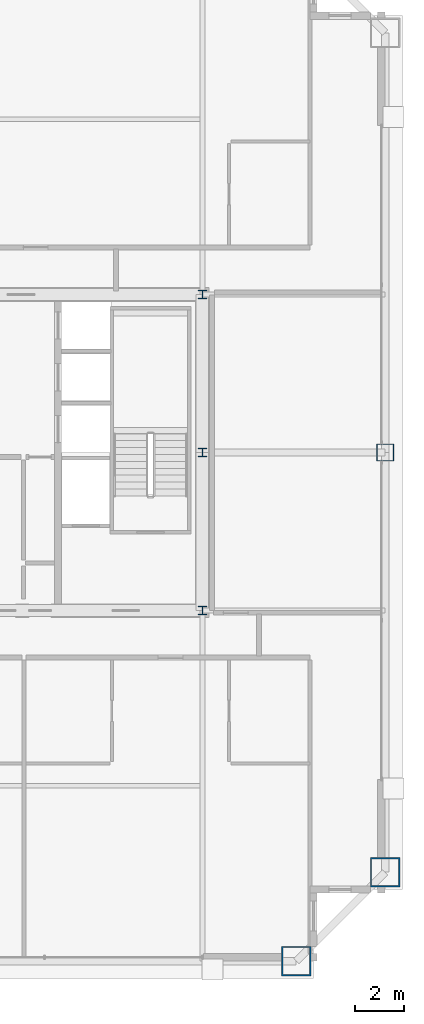
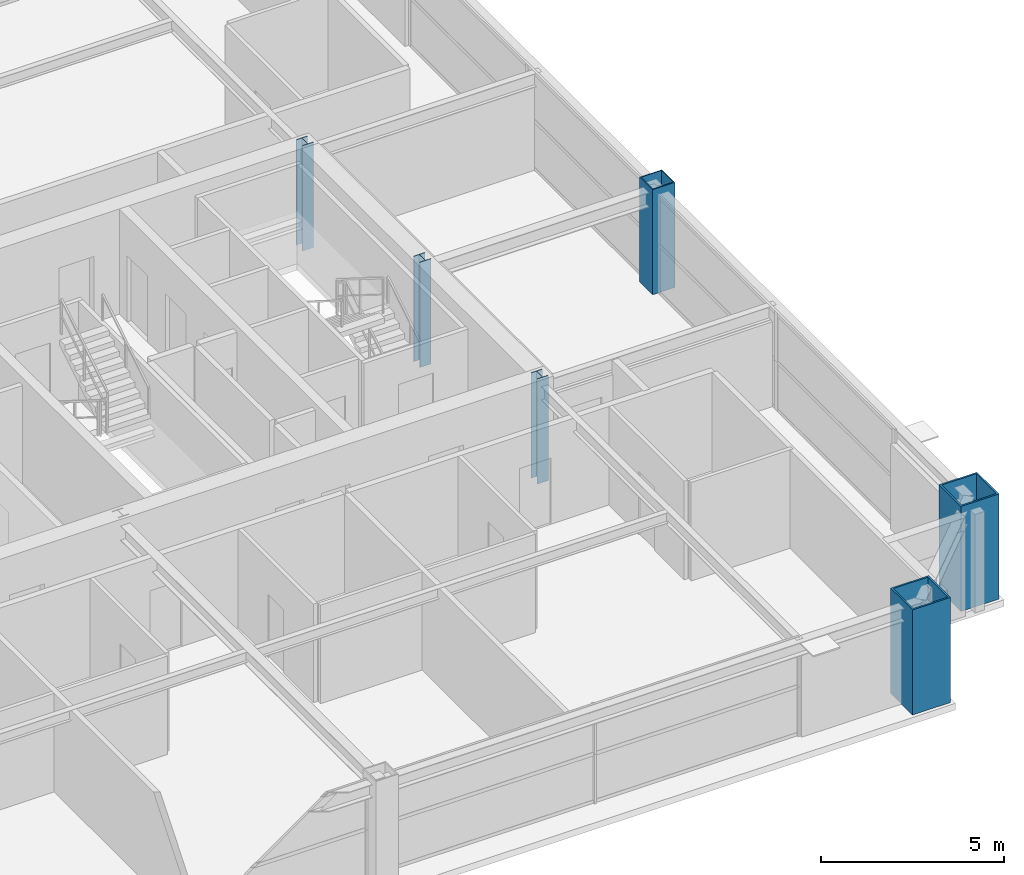
# One storey, part 2 of 37: 6 columns.
"""IFC4 building model written with IfcOpenShell, lengths in metres."""

from ifc_helpers import new_model, si_unit, direction, frame, origin, origin_2d, place, context, subcontext, project, spatial, hollow_rectangle, i_section, extrude, source, transform, mapped, material, material_profile, profile_set, type_object, element, save


model = new_model("IFC4")

# Units and contexts
model_context = context("Model", 3, precision=1e-05, world=origin(), true_north=direction((0.0, 1.0)))
body_context = subcontext(model_context, "Body", "Model", "MODEL_VIEW")
ifc_project = project(units=[si_unit("LENGTHUNIT", "METRE"), si_unit("AREAUNIT", "SQUARE_METRE"), si_unit("VOLUMEUNIT", "CUBIC_METRE"), si_unit("PLANEANGLEUNIT", "RADIAN"), si_unit("MASSUNIT", "GRAM", prefix="KILO"), si_unit("THERMODYNAMICTEMPERATUREUNIT", "KELVIN"), si_unit("POWERUNIT", "WATT")], contexts=[model_context])

# Site, building, storey
site_placement = place(None, origin())
site = spatial("IfcSite", under=ifc_project, at=site_placement, CompositionType="ELEMENT")
building_placement = place(site_placement, origin())
building = spatial("IfcBuilding", under=site, at=building_placement, Name="Yuzanri Waterfront Tower", CompositionType="ELEMENT")
storey_placement = place(building_placement, frame((0.0, 0.0, 268.10009765625)))
storey = spatial("IfcBuildingStorey", under=building, at=storey_placement, Name="L71", CompositionType="ELEMENT", Elevation=268.10009765625)

# Columns
ifc_material_1 = material(Name="Steel Q390GJC", Category="steel")
ifc_material_profile_1 = material_profile(ifc_material_1, hollow_rectangle(XDim=1.199951171875, YDim=1.199951171875, WallThickness=0.054931640625, at=origin_2d()), Name="RHS 1200x1200x55")
ifc_profile_set_1 = profile_set([ifc_material_profile_1], Name="Steel Q390GJC")
column_type_1 = type_object("IfcColumnType", Name="Mega Column Q390GJC RHS 1200x1200x55", PredefinedType="COLUMN", material=ifc_profile_set_1)
shared_shape_1 = source(origin(), body_context, "Body", "SweptSolid", [
    extrude(hollow_rectangle(XDim=1.199951171875, YDim=1.199951171875, WallThickness=0.054931640625, at=origin_2d()), origin(), (0.0, 0.0, 1.0), 3.5),
])
for number, where, z_axis, x_axis, name in (
    (1, (54.0, 5.199951171875, 0.0), (0.0, 0.0, 1.0), (1.0, 0.0, 0.0), "L71 Perimeter Mega Column S3"),
    (2, (57.60009765625, 8.800048828125, 0.0), (0.0, 0.0, 1.0), (1.0, 0.0, 0.0), "L71 Perimeter Mega Column E1"),
):
    element("IfcColumn", number, at=place(storey_placement, frame(where, z_axis=z_axis, x_axis=x_axis)), inside=storey, type_object=column_type_1, Name=name, PredefinedType="COLUMN", context=body_context, shape_type="MappedRepresentation", body=[
        mapped(shared_shape_1, transform((0.0, 0.0, 0.0), scale=1.0)),
    ])
ifc_material_2 = material(Name="Steel Q355B", Category="steel")
ifc_material_profile_2 = material_profile(ifc_material_2, hollow_rectangle(XDim=0.699951171875, YDim=0.699951171875, WallThickness=0.031982421875, at=origin_2d()), Name="RHS 700x700x32")
ifc_profile_set_2 = profile_set([ifc_material_profile_2], Name="Steel Q355B")
column_type_2 = type_object("IfcColumnType", Name="Frame Column Q355B RHS 700x700x32", PredefinedType="COLUMN", material=ifc_profile_set_2)
shared_shape_2 = source(origin(), body_context, "Body", "SweptSolid", [
    extrude(hollow_rectangle(XDim=0.699951171875, YDim=0.699951171875, WallThickness=0.031982421875, at=origin_2d()), origin(), (0.0, 0.0, 1.0), 3.5),
])
column_placement = place(storey_placement, frame((57.60009765625, 25.800048828125, 0.0), z_axis=(0.0, 0.0, 1.0), x_axis=(1.0, 0.0, 0.0)))
element("IfcColumn", 3, at=column_placement, inside=storey, type_object=column_type_2, Name="L71 Perimeter Frame Column E2", PredefinedType="COLUMN", context=body_context, shape_type="MappedRepresentation", body=[
    mapped(shared_shape_2, transform((0.0, 0.0, 0.0), scale=1.0)),
])
ifc_material_3 = material(Name="Steel Q355B", Category="steel")
ifc_material_profile_3 = material_profile(ifc_material_3, i_section(OverallWidth=0.35009765625, OverallDepth=0.35009765625, WebThickness=0.011962890625, FlangeThickness=0.01904296875, at=origin_2d()), Name="HW 350x350x12x19")
ifc_profile_set_3 = profile_set([ifc_material_profile_3], Name="Steel Q355B")
column_type_3 = type_object("IfcColumnType", Name="Core Post Q355B HW 350x350x12x19", PredefinedType="COLUMN", material=ifc_profile_set_3)
shared_shape_3 = source(origin(), body_context, "Body", "SweptSolid", [
    extrude(i_section(OverallWidth=0.35009765625, OverallDepth=0.35009765625, WebThickness=0.011962890625, FlangeThickness=0.01904296875, at=origin_2d()), origin(), (0.0, 0.0, 1.0), 3.5),
])
for number, where, z_axis, x_axis, name in (
    (4, (50.199951171875, 19.39990234375, 0.0), (0.0, 0.0, 1.0), (1.0, 0.0, 0.0), "L71 Core Boundary Column CP3"),
    (5, (50.199951171875, 25.800048828125, 0.0), (0.0, 0.0, 1.0), (1.0, 0.0, 0.0), "L71 Core Boundary Column CP5"),
    (6, (50.199951171875, 32.199951171875, 0.0), (0.0, 0.0, 1.0), (1.0, 0.0, 0.0), "L71 Core Boundary Column CP8"),
):
    element("IfcColumn", number, at=place(storey_placement, frame(where, z_axis=z_axis, x_axis=x_axis)), inside=storey, type_object=column_type_3, Name=name, PredefinedType="COLUMN", context=body_context, shape_type="MappedRepresentation", body=[
        mapped(shared_shape_3, transform((0.0, 0.0, 0.0), scale=1.0)),
    ])

save(model, "model.ifc")
